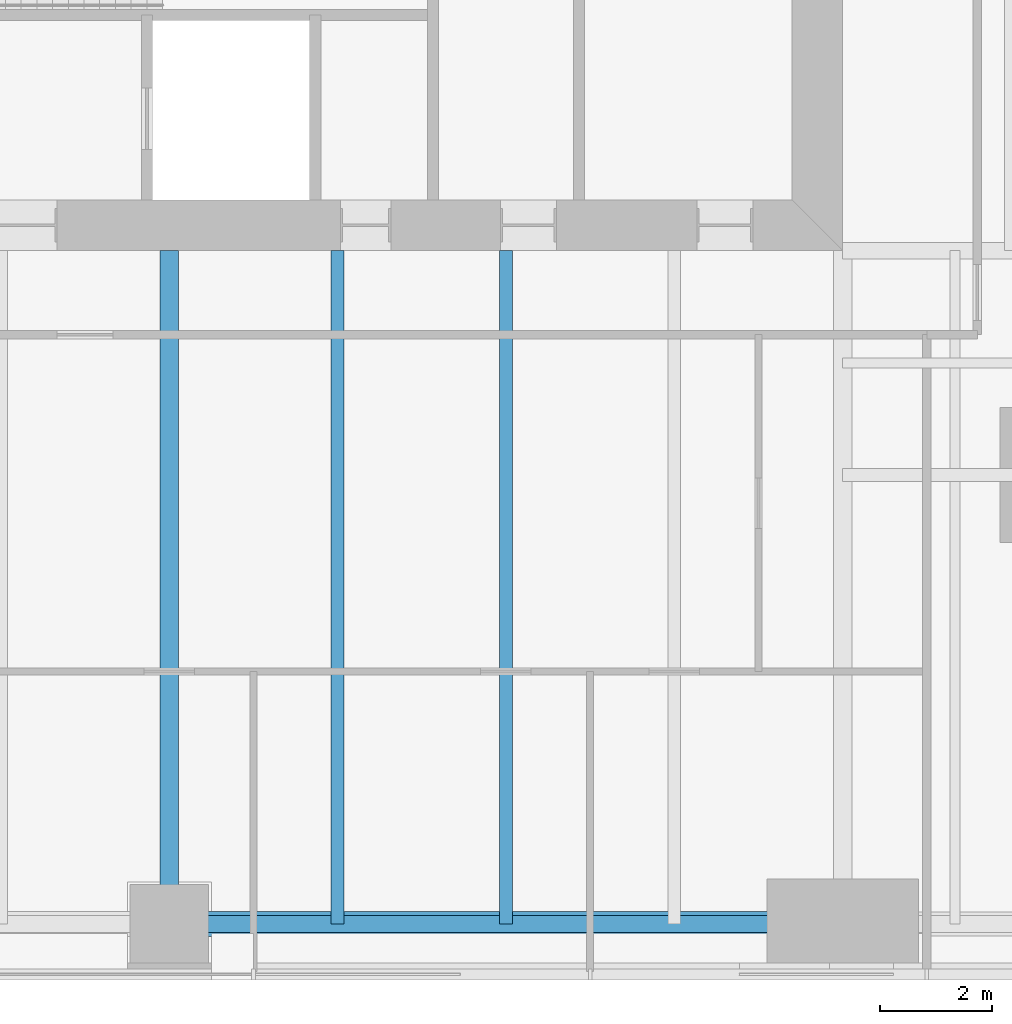
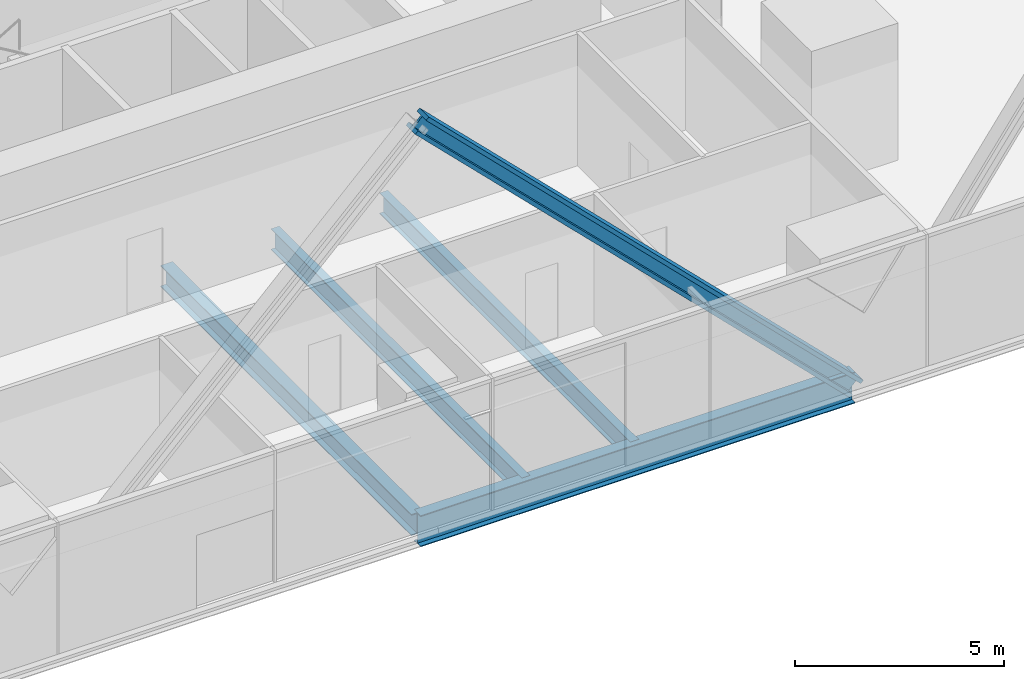
# One storey, part 3 of 14: 4 beams, 1 member.
"""IFC4 building model written with IfcOpenShell, lengths in metres."""

from ifc_helpers import new_model, si_unit, direction, frame, origin, origin_2d, place, context, subcontext, project, spatial, i_section, extrude, material, material_profile, profile_set, type_object, element, save


model = new_model("IFC4")

# Units and contexts
model_context = context("Model", 3, precision=1e-05, world=origin(), true_north=direction((0.0, 1.0)))
body_context = subcontext(model_context, "Body", "Model", "MODEL_VIEW")
ifc_project = project(units=[si_unit("LENGTHUNIT", "METRE"), si_unit("AREAUNIT", "SQUARE_METRE"), si_unit("VOLUMEUNIT", "CUBIC_METRE"), si_unit("PLANEANGLEUNIT", "RADIAN"), si_unit("MASSUNIT", "GRAM", prefix="KILO")], contexts=[model_context])

# Site, building, storey
site_placement = place(None, origin())
site = spatial("IfcSite", under=ifc_project, at=site_placement, CompositionType="ELEMENT")
building_placement = place(site_placement, origin())
building = spatial("IfcBuilding", under=site, at=building_placement, Name="Fenwick Lantern Interchange", CompositionType="ELEMENT")
storey_placement = place(building_placement, frame((0.0, 0.0, 79.0)))
storey = spatial("IfcBuildingStorey", under=building, at=storey_placement, Name="L18", CompositionType="ELEMENT", Elevation=79.0)

# Beam
ifc_material = material(Name="Steel ASTM A992 Grade 50", Category="steel")
ifc_material_profile_1 = material_profile(ifc_material, i_section(OverallWidth=0.3046875, OverallDepth=0.911865234375, WebThickness=0.015869140625, FlangeThickness=0.02392578125, at=origin_2d()), Name="W36X150")
ifc_profile_set_1 = profile_set([ifc_material_profile_1], Name="Steel ASTM A992 Grade 50")
beam_type_1 = type_object("IfcBeamType", Name="EDGE BEAM W36X150", PredefinedType="SPANDREL", material=ifc_profile_set_1)
beam_1_placement = place(storey_placement, frame((25.0, 1.0, -0.60595703125), z_axis=(1.0, 0.0, 0.0), x_axis=(0.0, 1.0, 0.0)))
element("IfcBeam", 1, at=beam_1_placement, inside=storey, type_object=beam_type_1, Name="L18/FR/S/EB3", PredefinedType="SPANDREL", context=body_context, shape_type="SweptSolid", body=[
    extrude(i_section(OverallWidth=0.3046875, OverallDepth=0.911865234375, WebThickness=0.015869140625, FlangeThickness=0.02392578125, at=origin_2d()), origin(), (0.0, 0.0, 1.0), 12.0),
])

# Member
ifc_material_profile_2 = material_profile(ifc_material, i_section(OverallWidth=0.44189453125, OverallDepth=0.53076171875, WebThickness=0.06591796875, FlangeThickness=0.105712890625, at=origin_2d()), Name="W14X605")
ifc_profile_set_2 = profile_set([ifc_material_profile_2], Name="Steel ASTM A992 Grade 50")
member_type = type_object("IfcMemberType", Name="FACADE BRACE W14X605", PredefinedType="BRACE", material=ifc_profile_set_2)
member_placement = place(storey_placement, frame((37.0, 1.0, -0.60595703125), z_axis=(-0.710495562956, 0.0, 0.703701680416), x_axis=(0.0, -1.0, 0.0)))
element("IfcMember", 2, at=member_placement, inside=storey, type_object=member_type, Name="L18/FB/S/B", PredefinedType="BRACE", context=body_context, shape_type="SweptSolid", body=[
    extrude(i_section(OverallWidth=0.44189453125, OverallDepth=0.53076171875, WebThickness=0.06591796875, FlangeThickness=0.105712890625, at=origin_2d()), origin(), (0.0, 0.0, 1.0), 16.8896484375),
])

# Beams
ifc_material_profile_3 = material_profile(ifc_material, i_section(OverallWidth=0.22900390625, OverallDepth=0.612060546875, WebThickness=0.011962890625, FlangeThickness=0.01953125, at=origin_2d()), Name="W24X84")
ifc_profile_set_3 = profile_set([ifc_material_profile_3], Name="Steel ASTM A992 Grade 50")
beam_type_2 = type_object("IfcBeamType", Name="FLOOR BEAM W24X84", PredefinedType="BEAM", material=ifc_profile_set_3)
for number, where, z_axis, x_axis, name in (
    (3, (28.0, 1.0, -0.4560546875), (0.0, 1.0, 0.0), (-1.0, 0.0, 0.0), "L18/FR/S/R06"),
    (4, (31.0, 1.0, -0.4560546875), (0.0, 1.0, 0.0), (-1.0, 0.0, 0.0), "L18/FR/S/R07"),
):
    element("IfcBeam", number, at=place(storey_placement, frame(where, z_axis=z_axis, x_axis=x_axis)), inside=storey, type_object=beam_type_2, Name=name, PredefinedType="BEAM", context=body_context, shape_type="SweptSolid", body=[
        extrude(i_section(OverallWidth=0.22900390625, OverallDepth=0.612060546875, WebThickness=0.011962890625, FlangeThickness=0.01953125, at=origin_2d()), origin(), (0.0, 0.0, 1.0), 12.0),
    ])
ifc_material_profile_4 = material_profile(ifc_material, i_section(OverallWidth=0.32763671875, OverallDepth=0.622314453125, WebThickness=0.015380859375, FlangeThickness=0.0244140625, at=origin_2d()), Name="W24X131")
ifc_profile_set_4 = profile_set([ifc_material_profile_4], Name="Steel ASTM A992 Grade 50")
beam_type_3 = type_object("IfcBeamType", Name="MOMENT-CONNECTED GIRDER W24X131", PredefinedType="BEAM", material=ifc_profile_set_4)
beam_2_placement = place(storey_placement, frame((25.0, 1.0, -0.461181640625), z_axis=(0.0, 1.0, 0.0), x_axis=(-1.0, 0.0, 0.0)))
element("IfcBeam", 5, at=beam_2_placement, inside=storey, type_object=beam_type_3, Name="L18/FR/S/R05", PredefinedType="BEAM", context=body_context, shape_type="SweptSolid", body=[
    extrude(i_section(OverallWidth=0.32763671875, OverallDepth=0.622314453125, WebThickness=0.015380859375, FlangeThickness=0.0244140625, at=origin_2d()), origin(), (0.0, 0.0, 1.0), 12.0),
])

save(model, "model.ifc")
